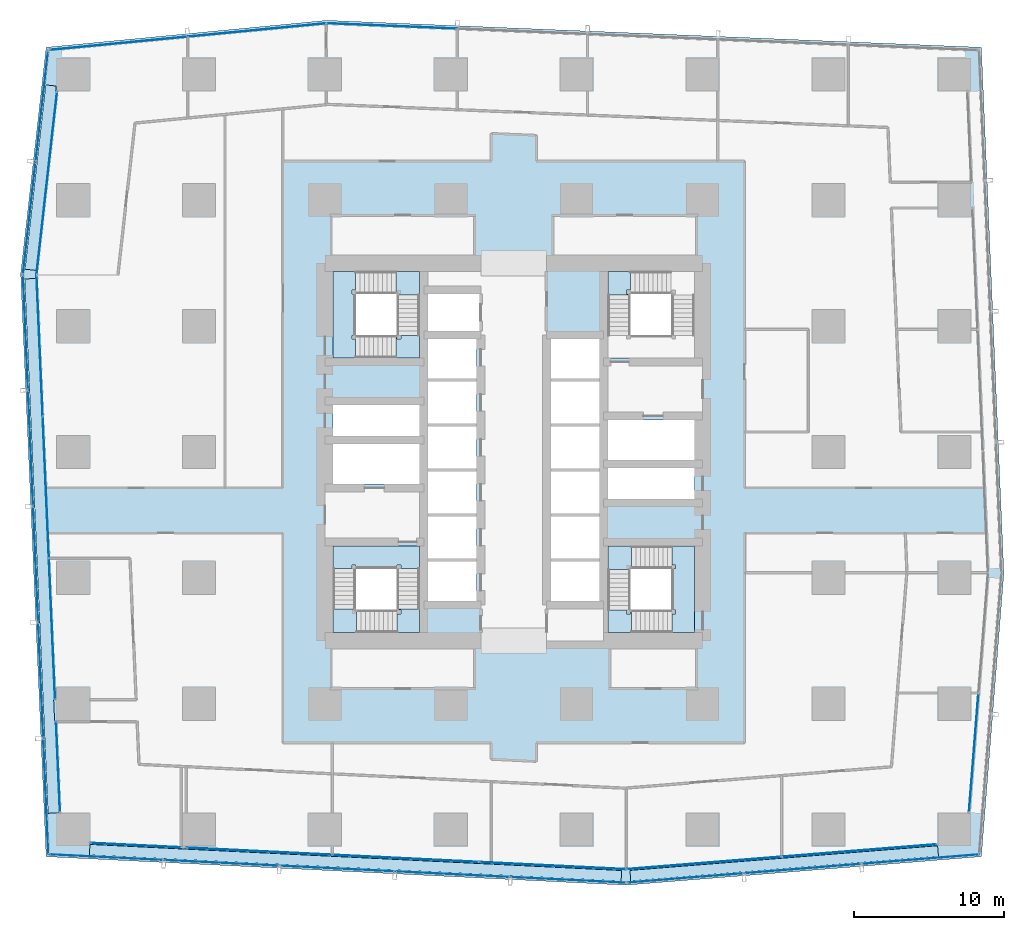
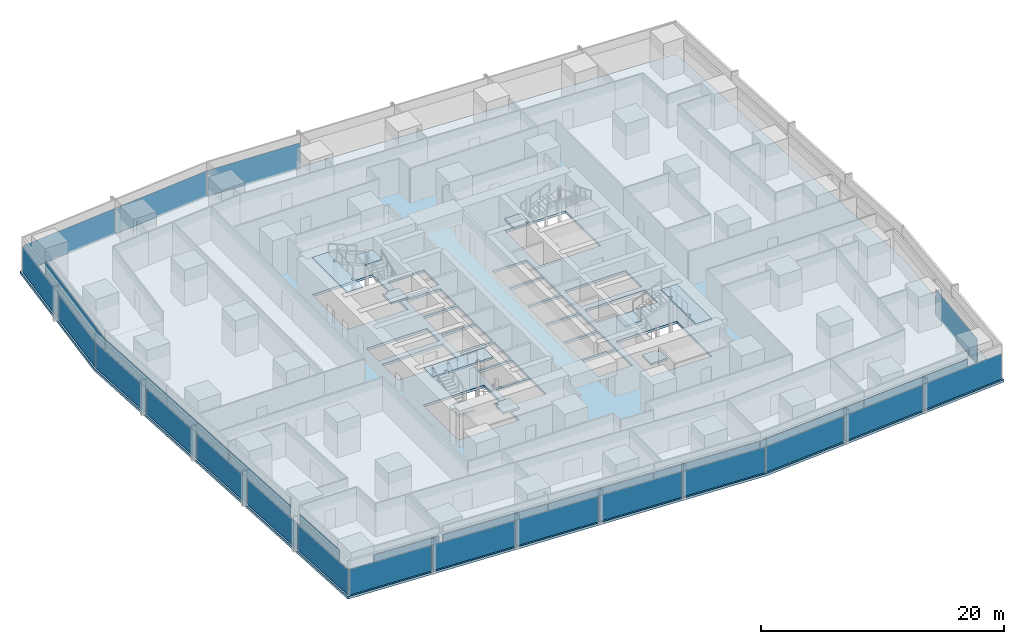
# One storey, part 30 of 44: 34 plates, 11 slabs, 17 elements without a shape of their own.
"""IFC4 building model written with IfcOpenShell, lengths in metres."""

import ifcopenshell
import ifcopenshell.guid

model = None  # the IFC model being written
_history = None  # IfcOwnerHistory: only IFC2X3 demands one
_inside = {}  # id of a spatial element -> (the spatial element, [elements in it])
_under = {}  # id of a project, library or spatial element -> (it, [spatial elements below it])
_declared = {}  # id of a project -> (the project, [libraries it declares])
_typed = {}  # id of a type object -> (the type object, [elements of that type])
_made_of = {}  # id of a material, layer set ... -> (it, [elements and type objects made of it])


def new_model(schema):
    """Start an empty IFC model of exactly this schema.

    Asked for "IFC4X3", IfcOpenShell would pick the latest addendum, in which some entities
    have other attributes; the version numbers below select the first issue.
    IFC2X3 requires an IfcOwnerHistory on every rooted entity: one is made here for all.
    """
    global model, _history
    if schema == "IFC4X3":
        model = ifcopenshell.file(schema_version=(4, 3, 0, 0))
    else:
        model = ifcopenshell.file(schema=schema)
    _inside.clear()
    _under.clear()
    _declared.clear()
    _typed.clear()
    _made_of.clear()
    _history = None
    if model.schema == "IFC2X3":
        org = make("IfcOrganization", Name="unknown")
        user = make(
            "IfcPersonAndOrganization",
            ThePerson=make("IfcPerson", FamilyName="unknown"),
            TheOrganization=org,
        )
        app = make(
            "IfcApplication",
            ApplicationDeveloper=org,
            Version="unknown",
            ApplicationFullName="unknown",
            ApplicationIdentifier="unknown",
        )
        _history = make(
            "IfcOwnerHistory",
            OwningUser=user,
            OwningApplication=app,
            ChangeAction="ADDED",
            CreationDate=0,
        )
    return model


def make(cls, **values):
    """One entity of the class cls with the attributes given. An attribute that is None is left unset."""
    return model.create_entity(
        cls, **{name: value for name, value in values.items() if value is not None}
    )


def rooted(cls, **values):
    """An entity with a GlobalId (a new one), such as an element, a storey or a relation."""
    return make(cls, GlobalId=ifcopenshell.guid.new(), OwnerHistory=_history, **values)


def si_unit(unit_type, name, prefix=None):
    """IfcSIUnit, for example si_unit("LENGTHUNIT", "METRE", prefix="MILLI")."""
    return make("IfcSIUnit", UnitType=unit_type, Prefix=prefix, Name=name)


def assignment(units):
    """IfcUnitAssignment: the units of a project."""
    return None if units is None else make("IfcUnitAssignment", Units=units)


def point(xyz):
    """IfcCartesianPoint."""
    return None if xyz is None else make("IfcCartesianPoint", Coordinates=xyz)


def direction(xyz):
    """IfcDirection."""
    return None if xyz is None else make("IfcDirection", DirectionRatios=xyz)


def frame(location, z_axis=None, x_axis=None):
    """IfcAxis2Placement3D, a coordinate frame: its origin and axes. An axis left out is left unset."""
    return make(
        "IfcAxis2Placement3D",
        Location=point(location),
        Axis=direction(z_axis),
        RefDirection=direction(x_axis),
    )


def frame_2d(location, x_axis=None):
    """IfcAxis2Placement2D, a coordinate frame in the plane: its origin and x axis."""
    return make(
        "IfcAxis2Placement2D", Location=point(location), RefDirection=direction(x_axis)
    )


def origin():
    """The frame at (0, 0, 0) with its axes left unset."""
    return frame((0.0, 0.0, 0.0))


def origin_2d():
    """The frame at (0, 0) in the plane with its x axis left unset."""
    return frame_2d((0.0, 0.0))


def place(relative_to, where):
    """IfcLocalPlacement: puts the frame where relative to a parent placement (None: the world)."""
    return make(
        "IfcLocalPlacement", PlacementRelTo=relative_to, RelativePlacement=where
    )


def context(
    kind, dimensions, precision=None, world=None, true_north=None, identifier=None
):
    """IfcGeometricRepresentationContext, for example the 3D "Model" context."""
    return make(
        "IfcGeometricRepresentationContext",
        ContextIdentifier=identifier,
        ContextType=kind,
        CoordinateSpaceDimension=dimensions,
        Precision=precision,
        WorldCoordinateSystem=world,
        TrueNorth=true_north,
    )


def subcontext(parent, identifier, kind, view, scale=None):
    """IfcGeometricRepresentationSubContext, for example "Body" below "Model"."""
    return make(
        "IfcGeometricRepresentationSubContext",
        ContextIdentifier=identifier,
        ContextType=kind,
        ParentContext=parent,
        TargetScale=scale,
        TargetView=view,
    )


def project(units=None, contexts=None):
    """IfcProject with its units and contexts."""
    return rooted(
        "IfcProject",
        Name="project",
        RepresentationContexts=contexts,
        UnitsInContext=assignment(units),
    )


def spatial(cls, under=None, at=None, **own):
    """A site, building, storey or space (cls), placed at a placement, below another one or the project."""
    s = rooted(cls, ObjectPlacement=at, **own)
    if under is not None:
        _under.setdefault(under.id(), (under, []))[1].append(s)
    return s


def polyline(points):
    """IfcPolyline through the points."""
    return make("IfcPolyline", Points=[point(p) for p in points])


def profile(cls, at=None, kind="AREA", **sizes):
    """A parametric profile (cls). Its sizes go by their IFC names, for example OverallWidth=200.0."""
    return make(cls, ProfileType=kind, Position=at, **sizes)


def rectangle(**sizes):
    """IfcRectangleProfileDef."""
    return profile("IfcRectangleProfileDef", **sizes)


def outline(outer, holes=None, kind="AREA"):
    """IfcArbitraryClosedProfileDef: a profile drawn as a closed curve; with holes, ...WithVoids."""
    if holes is None:
        return make("IfcArbitraryClosedProfileDef", ProfileType=kind, OuterCurve=outer)
    return make(
        "IfcArbitraryProfileDefWithVoids",
        ProfileType=kind,
        OuterCurve=outer,
        InnerCurves=holes,
    )


def extrude(swept, where, along, depth):
    """IfcExtrudedAreaSolid: the profile swept, set in the frame where, extruded along a direction by depth."""
    return make(
        "IfcExtrudedAreaSolid",
        SweptArea=swept,
        Position=where,
        ExtrudedDirection=direction(along),
        Depth=depth,
    )


def shape(context_of_items, identifier, shape_type, items):
    """IfcShapeRepresentation: the items that make up one representation, for example the "Body"."""
    return make(
        "IfcShapeRepresentation",
        ContextOfItems=context_of_items,
        RepresentationIdentifier=identifier,
        RepresentationType=shape_type,
        Items=items,
    )


def material(Name=None, Category=None):
    """IfcMaterial."""
    return make("IfcMaterial", Name=Name, Category=Category)


def layer(
    of_material, thickness, ventilated=None, Name=None, Category=None, Priority=None
):
    """IfcMaterialLayer: one layer of a wall or slab, of a material (None: an air gap)."""
    return make(
        "IfcMaterialLayer",
        Material=of_material,
        LayerThickness=thickness,
        IsVentilated=ventilated,
        Name=Name,
        Category=Category,
        Priority=Priority,
    )


def layer_set(layers, Name=None):
    """IfcMaterialLayerSet."""
    return make("IfcMaterialLayerSet", MaterialLayers=layers, LayerSetName=Name)


def made_of(thing, what):
    """Note that an element or type object is made of a material, layer set ...; save() writes the relation."""
    if what is not None:
        _made_of.setdefault(what.id(), (what, []))[1].append(thing)
    return thing


def type_object(cls, material=None, **own):
    """A type object (cls), such as IfcWallType, which elements share."""
    return made_of(rooted(cls, **own), material)


def element(
    cls,
    number,
    at=None,
    inside=None,
    cuts=None,
    type_object=None,
    material=None,
    context=None,
    identifier="Body",
    shape_type=None,
    held_by="IfcProductDefinitionShape",
    body=None,
    shapes=None,
    **own,
):
    """One element of the class cls, such as IfcWall. Its Tag is "e" and its number.

    at: its placement. inside: the storey or other place that contains it. cuts: it is an
    opening in that element (IfcRelVoidsElement). A single representation is given by context,
    identifier, shape_type and body (its items); several are given by shapes. held_by: the class
    of the entity that holds the representations. save() writes the other relations.
    """
    e = rooted(cls, Tag="e%d" % number, ObjectPlacement=at, **own)
    if body is not None:
        shapes = [shape(context, identifier, shape_type, body)]
    if shapes is not None:
        e.Representation = make(held_by, Representations=shapes)
    if inside is not None:
        _inside.setdefault(inside.id(), (inside, []))[1].append(e)
    if cuts is not None:
        rooted(
            "IfcRelVoidsElement", RelatingBuildingElement=cuts, RelatedOpeningElement=e
        )
    if type_object is not None:
        _typed.setdefault(type_object.id(), (type_object, []))[1].append(e)
    return made_of(e, material)


def aggregate(whole, parts):
    """IfcRelAggregates: a whole, such as a stair, and the parts it consists of."""
    return rooted("IfcRelAggregates", RelatingObject=whole, RelatedObjects=parts)


def save(model, path):
    """Write the relations noted so far, then the file.

    IfcRelAggregates (storeys below a building ...), IfcRelContainedInSpatialStructure (elements
    in a storey), IfcRelDefinesByType, IfcRelAssociatesMaterial and IfcRelDeclares: one each for
    every whole, place, type object, material and project.
    """
    for whole, parts in _under.values():
        aggregate(whole, parts)
    for where, things in _inside.values():
        rooted(
            "IfcRelContainedInSpatialStructure",
            RelatedElements=things,
            RelatingStructure=where,
        )
    for kind, things in _typed.values():
        rooted("IfcRelDefinesByType", RelatedObjects=things, RelatingType=kind)
    for what, things in _made_of.values():
        rooted("IfcRelAssociatesMaterial", RelatedObjects=things, RelatingMaterial=what)
    for by, libraries in _declared.values():
        rooted("IfcRelDeclares", RelatingContext=by, RelatedDefinitions=libraries)
    model.write(path)


model = new_model("IFC4")

# Units and contexts
model_context = context("Model", 3, precision=1e-05, world=origin(), true_north=direction((0.0, 1.0)))
body_context = subcontext(model_context, "Body", "Model", "MODEL_VIEW")
ifc_project = project(units=[si_unit("LENGTHUNIT", "METRE"), si_unit("AREAUNIT", "SQUARE_METRE"), si_unit("VOLUMEUNIT", "CUBIC_METRE"), si_unit("PLANEANGLEUNIT", "RADIAN"), si_unit("MASSUNIT", "GRAM", prefix="KILO")], contexts=[model_context])

# Site, building, storey
site_placement = place(None, origin())
site = spatial("IfcSite", under=ifc_project, at=site_placement, CompositionType="ELEMENT")
building_placement = place(site_placement, origin())
building = spatial("IfcBuilding", under=site, at=building_placement, Name="Rekha Terrace Tower", CompositionType="ELEMENT")
storey_placement = place(building_placement, frame((0.0, 0.0, 66.64990234375)))
storey = spatial("IfcBuildingStorey", under=building, at=storey_placement, Name="L16", CompositionType="ELEMENT", Elevation=66.64990234375)

# Curtain wall, plate
ifc_material_1 = material(Name="Aluminium framing", Category="aluminium")
curtain_wall_type_1 = type_object("IfcCurtainWallType", Name="CW1 double skin inner glazing", PredefinedType="USERDEFINED", material=ifc_material_1)
curtain_wall_1_placement = place(storey_placement, origin())
curtain_wall_1 = element("IfcCurtainWall", 1, at=curtain_wall_1_placement, inside=storey, type_object=curtain_wall_type_1, Name="CW1 double skin inner glazing", ObjectType="DOUBLE SKIN INNER GLAZING", PredefinedType="USERDEFINED")
ifc_material_2 = material(Name="Double-glazed low-e unit 32", Category="glass")
ifc_layer_1 = layer(ifc_material_2, 0.031982421875)
ifc_layer_set_1 = layer_set([ifc_layer_1], Name="Double-glazed low-e unit 32")
plate_type_1 = type_object("IfcPlateType", Name="CW1 jumbo vision panel, double-glazed low-e unit 32", PredefinedType="CURTAIN_PANEL", material=ifc_layer_set_1)
plate_1_placement = place(storey_placement, frame((12.60009765625, 7.36669921875, 0.0), z_axis=(0.0, 0.0, 1.0), x_axis=(0.998796239977, -0.049051717693, 0.0)))
plate_1 = element("IfcPlate", 2, at=plate_1_placement, type_object=plate_type_1, Name="CW1 panel 1.1", PredefinedType="CURTAIN_PANEL", context=body_context, shape_type="SweptSolid", body=[
    extrude(rectangle(XDim=6.028076171875, YDim=0.031982421875, at=origin_2d()), origin(), (0.0, 0.0, 1.0), 2.60009765625),
])
aggregate(curtain_wall_1, [plate_1])

# Curtain wall, plates
curtain_wall_2_placement = place(storey_placement, origin())
curtain_wall_2 = element("IfcCurtainWall", 3, at=curtain_wall_2_placement, inside=storey, type_object=curtain_wall_type_1, Name="CW1 double skin inner glazing", ObjectType="DOUBLE SKIN INNER GLAZING", PredefinedType="USERDEFINED")
plate_2_placement = place(storey_placement, frame((20.818603515625, 6.962890625, 0.0), z_axis=(0.0, 0.0, 1.0), x_axis=(0.998796239974, -0.049051717746, 0.0)))
plate_2 = element("IfcPlate", 4, at=plate_2_placement, type_object=plate_type_1, Name="CW1 panel 1.1", PredefinedType="CURTAIN_PANEL", context=body_context, shape_type="SweptSolid", body=[
    extrude(rectangle(XDim=9.701904296875, YDim=0.031982421875, at=origin_2d()), origin(), (0.0, 0.0, 1.0), 2.60009765625),
])
plate_3_placement = place(storey_placement, frame((30.590087890625, 6.483154296875, 0.0), z_axis=(0.0, 0.0, 1.0), x_axis=(0.998796239974, -0.049051717746, 0.0)))
plate_3 = element("IfcPlate", 5, at=plate_3_placement, type_object=plate_type_1, Name="CW1 panel 2.1", PredefinedType="CURTAIN_PANEL", context=body_context, shape_type="SweptSolid", body=[
    extrude(rectangle(XDim=9.734619140625, YDim=0.031982421875, at=origin_2d()), origin(), (0.0, 0.0, 1.0), 2.60009765625),
])
plate_4_placement = place(storey_placement, frame((40.39404296875, 6.001708984375, 0.0), z_axis=(0.0, 0.0, 1.0), x_axis=(0.998796239974, -0.049051717746, 0.0)))
plate_4 = element("IfcPlate", 6, at=plate_4_placement, type_object=plate_type_1, Name="CW1 panel 3.1", PredefinedType="CURTAIN_PANEL", context=body_context, shape_type="SweptSolid", body=[
    extrude(rectangle(XDim=9.76708984375, YDim=0.031982421875, at=origin_2d()), origin(), (0.0, 0.0, 1.0), 2.60009765625),
])
aggregate(curtain_wall_2, [plate_2, plate_3, plate_4])

curtain_wall_3_placement = place(storey_placement, origin())
curtain_wall_3 = element("IfcCurtainWall", 7, at=curtain_wall_3_placement, inside=storey, type_object=curtain_wall_type_1, Name="CW1 double skin inner glazing", ObjectType="DOUBLE SKIN INNER GLAZING", PredefinedType="USERDEFINED")
plate_5_placement = place(storey_placement, frame((50.488037109375, 6.18017578125, 0.0), z_axis=(0.0, 0.0, 1.0), x_axis=(0.996805111821, 0.079872204468, 0.0)))
plate_5 = element("IfcPlate", 8, at=plate_5_placement, type_object=plate_type_1, Name="CW1 panel 1.1", PredefinedType="CURTAIN_PANEL", context=body_context, shape_type="SweptSolid", body=[
    extrude(rectangle(XDim=10.336181640625, YDim=0.031982421875, at=origin_2d()), origin(), (0.0, 0.0, 1.0), 2.60009765625),
])
plate_6_placement = place(storey_placement, frame((60.85595703125, 7.0107421875, 0.0), z_axis=(0.0, 0.0, 1.0), x_axis=(0.996805111821, 0.079872204468, 0.0)))
plate_6 = element("IfcPlate", 9, at=plate_6_placement, type_object=plate_type_1, Name="CW1 panel 2.1", PredefinedType="CURTAIN_PANEL", context=body_context, shape_type="SweptSolid", body=[
    extrude(rectangle(XDim=10.336181640625, YDim=0.031982421875, at=origin_2d()), origin(), (0.0, 0.0, 1.0), 2.60009765625),
])
aggregate(curtain_wall_3, [plate_5, plate_6])

# Curtain wall, plate
curtain_wall_4_placement = place(storey_placement, origin())
curtain_wall_4 = element("IfcCurtainWall", 10, at=curtain_wall_4_placement, inside=storey, type_object=curtain_wall_type_1, Name="CW1 double skin inner glazing", ObjectType="DOUBLE SKIN INNER GLAZING", PredefinedType="USERDEFINED")
plate_7_placement = place(storey_placement, frame((68.487548828125, 13.541748046875, 0.0), z_axis=(0.0, 0.0, 1.0), x_axis=(0.079116301, 0.996865392576, 0.0)))
plate_7 = element("IfcPlate", 11, at=plate_7_placement, type_object=plate_type_1, Name="CW1 panel 1.1", PredefinedType="CURTAIN_PANEL", context=body_context, shape_type="SweptSolid", body=[
    extrude(rectangle(XDim=7.923583984375, YDim=0.031982421875, at=origin_2d()), origin(), (0.0, 0.0, 1.0), 2.60009765625),
])
aggregate(curtain_wall_4, [plate_7])

curtain_wall_5_placement = place(storey_placement, origin())
curtain_wall_5 = element("IfcCurtainWall", 12, at=curtain_wall_5_placement, inside=storey, type_object=curtain_wall_type_1, Name="CW1 double skin inner glazing", ObjectType="DOUBLE SKIN INNER GLAZING", PredefinedType="USERDEFINED")
plate_8_placement = place(storey_placement, frame((6.646728515625, 51.52734375, 0.0), z_axis=(0.0, 0.0, 1.0), x_axis=(-0.111729870748, -0.993738615524, 0.0)))
plate_8 = element("IfcPlate", 13, at=plate_8_placement, type_object=plate_type_1, Name="CW1 panel 1.1", PredefinedType="CURTAIN_PANEL", context=body_context, shape_type="SweptSolid", body=[
    extrude(rectangle(XDim=12.243896484375, YDim=0.031982421875, at=origin_2d()), origin(), (0.0, 0.0, 1.0), 2.60009765625),
])
aggregate(curtain_wall_5, [plate_8])

# Curtain wall, plates
curtain_wall_6_placement = place(storey_placement, origin())
curtain_wall_6 = element("IfcCurtainWall", 14, at=curtain_wall_6_placement, inside=storey, type_object=curtain_wall_type_1, Name="CW1 double skin inner glazing", ObjectType="DOUBLE SKIN INNER GLAZING", PredefinedType="USERDEFINED")
plate_9_placement = place(storey_placement, frame((6.170166015625, 40.69482421875, 0.0), z_axis=(0.0, 0.0, 1.0), x_axis=(0.043682543337, -0.999045462133, 0.0)))
plate_9 = element("IfcPlate", 15, at=plate_9_placement, type_object=plate_type_1, Name="CW1 panel 1.1", PredefinedType="CURTAIN_PANEL", context=body_context, shape_type="SweptSolid", body=[
    extrude(rectangle(XDim=9.376953125, YDim=0.031982421875, at=origin_2d()), origin(), (0.0, 0.0, 1.0), 2.60009765625),
])
plate_10_placement = place(storey_placement, frame((6.58349609375, 31.245361328125, 0.0), z_axis=(0.0, 0.0, 1.0), x_axis=(0.043682543337, -0.999045462133, 0.0)))
plate_10 = element("IfcPlate", 16, at=plate_10_placement, type_object=plate_type_1, Name="CW1 panel 2.1", PredefinedType="CURTAIN_PANEL", context=body_context, shape_type="SweptSolid", body=[
    extrude(rectangle(XDim=9.40966796875, YDim=0.031982421875, at=origin_2d()), origin(), (0.0, 0.0, 1.0), 2.60009765625),
])
plate_11_placement = place(storey_placement, frame((6.99658203125, 21.796142578125, 0.0), z_axis=(0.0, 0.0, 1.0), x_axis=(0.043682543337, -0.999045462133, 0.0)))
plate_11 = element("IfcPlate", 17, at=plate_11_placement, type_object=plate_type_1, Name="CW1 panel 3.1", PredefinedType="CURTAIN_PANEL", context=body_context, shape_type="SweptSolid", body=[
    extrude(rectangle(XDim=9.376953125, YDim=0.031982421875, at=origin_2d()), origin(), (0.0, 0.0, 1.0), 2.60009765625),
])
aggregate(curtain_wall_6, [plate_9, plate_10, plate_11])

# Curtain wall, plate
curtain_wall_7_placement = place(storey_placement, origin())
curtain_wall_7 = element("IfcCurtainWall", 18, at=curtain_wall_7_placement, inside=storey, type_object=curtain_wall_type_1, Name="CW1 double skin inner glazing", ObjectType="DOUBLE SKIN INNER GLAZING", PredefinedType="USERDEFINED")
plate_12_placement = place(storey_placement, frame((7.398681640625, 12.60009765625, 0.0), z_axis=(0.0, 0.0, 1.0), x_axis=(0.043682543424, -0.999045462129, 0.0)))
plate_12 = element("IfcPlate", 19, at=plate_12_placement, type_object=plate_type_1, Name="CW1 panel 1.1", PredefinedType="CURTAIN_PANEL", context=body_context, shape_type="SweptSolid", body=[
    extrude(rectangle(XDim=6.027587890625, YDim=0.031982421875, at=origin_2d()), origin(), (0.0, 0.0, 1.0), 2.60009765625),
])
aggregate(curtain_wall_7, [plate_12])

# Curtain wall, plates
curtain_wall_type_2 = type_object("IfcCurtainWallType", Name="CW2 double skin outer glazing", PredefinedType="USERDEFINED", material=ifc_material_1)
curtain_wall_8_placement = place(storey_placement, origin())
curtain_wall_8 = element("IfcCurtainWall", 20, at=curtain_wall_8_placement, inside=storey, type_object=curtain_wall_type_2, Name="CW2 double skin outer glazing", ObjectType="DOUBLE SKIN OUTER GLAZING", PredefinedType="USERDEFINED")
ifc_material_3 = material(Name="Toughened single glazing 12", Category="glass")
ifc_layer_2 = layer(ifc_material_3, 0.011962890625)
ifc_layer_set_2 = layer_set([ifc_layer_2], Name="Toughened single glazing 12")
plate_type_2 = type_object("IfcPlateType", Name="CW2 jumbo vision panel, toughened single glazing 12", PredefinedType="CURTAIN_PANEL", material=ifc_layer_set_2)
plate_13_placement = place(storey_placement, frame((10.626708984375, 6.5625, 0.0), z_axis=(0.0, 0.0, 1.0), x_axis=(0.998796239974, -0.049051717746, 0.0)))
plate_13 = element("IfcPlate", 21, at=plate_13_placement, type_object=plate_type_2, Name="CW2 panel 1.1", PredefinedType="CURTAIN_PANEL", context=body_context, shape_type="SweptSolid", body=[
    extrude(rectangle(XDim=7.595703125, YDim=0.011962890625, at=origin_2d()), origin(), (0.0, 0.0, 1.0), 2.60009765625),
])
plate_14_placement = place(storey_placement, frame((18.31298828125, 6.18505859375, 0.0), z_axis=(0.0, 0.0, 1.0), x_axis=(0.998796239974, -0.049051717746, 0.0)))
plate_14 = element("IfcPlate", 22, at=plate_14_placement, type_object=plate_type_2, Name="CW2 panel 2.1", PredefinedType="CURTAIN_PANEL", context=body_context, shape_type="SweptSolid", body=[
    extrude(rectangle(XDim=7.6357421875, YDim=0.011962890625, at=origin_2d()), origin(), (0.0, 0.0, 1.0), 2.60009765625),
])
plate_15_placement = place(storey_placement, frame((26.01953125, 5.806396484375, 0.0), z_axis=(0.0, 0.0, 1.0), x_axis=(0.998796239974, -0.049051717746, 0.0)))
plate_15 = element("IfcPlate", 23, at=plate_15_placement, type_object=plate_type_2, Name="CW2 panel 3.1", PredefinedType="CURTAIN_PANEL", context=body_context, shape_type="SweptSolid", body=[
    extrude(rectangle(XDim=7.6357421875, YDim=0.011962890625, at=origin_2d()), origin(), (0.0, 0.0, 1.0), 2.60009765625),
])
plate_16_placement = place(storey_placement, frame((33.725830078125, 5.427978515625, 0.0), z_axis=(0.0, 0.0, 1.0), x_axis=(0.998796239974, -0.049051717746, 0.0)))
plate_16 = element("IfcPlate", 24, at=plate_16_placement, type_object=plate_type_2, Name="CW2 panel 4.1", PredefinedType="CURTAIN_PANEL", context=body_context, shape_type="SweptSolid", body=[
    extrude(rectangle(XDim=7.6357421875, YDim=0.011962890625, at=origin_2d()), origin(), (0.0, 0.0, 1.0), 2.60009765625),
])
plate_17_placement = place(storey_placement, frame((41.452392578125, 5.048583984375, 0.0), z_axis=(0.0, 0.0, 1.0), x_axis=(0.998796239974, -0.049051717746, 0.0)))
plate_17 = element("IfcPlate", 25, at=plate_17_placement, type_object=plate_type_2, Name="CW2 panel 5.1", PredefinedType="CURTAIN_PANEL", context=body_context, shape_type="SweptSolid", body=[
    extrude(rectangle(XDim=7.67578125, YDim=0.011962890625, at=origin_2d()), origin(), (0.0, 0.0, 1.0), 2.60009765625),
])
aggregate(curtain_wall_8, [plate_13, plate_14, plate_15, plate_16, plate_17])

curtain_wall_9_placement = place(storey_placement, origin())
curtain_wall_9 = element("IfcCurtainWall", 26, at=curtain_wall_9_placement, inside=storey, type_object=curtain_wall_type_2, Name="CW2 double skin outer glazing", ObjectType="DOUBLE SKIN OUTER GLAZING", PredefinedType="USERDEFINED")
plate_18_placement = place(storey_placement, frame((49.233154296875, 5.176513671875, 0.0), z_axis=(0.0, 0.0, 1.0), x_axis=(0.996805111821, 0.079872204468, 0.0)))
plate_18 = element("IfcPlate", 27, at=plate_18_placement, type_object=plate_type_2, Name="CW2 panel 1.1", PredefinedType="CURTAIN_PANEL", context=body_context, shape_type="SweptSolid", body=[
    extrude(rectangle(XDim=7.760498046875, YDim=0.011962890625, at=origin_2d()), origin(), (0.0, 0.0, 1.0), 2.60009765625),
])
plate_19_placement = place(storey_placement, frame((57.068359375, 5.804443359375, 0.0), z_axis=(0.0, 0.0, 1.0), x_axis=(0.996805111821, 0.079872204468, 0.0)))
plate_19 = element("IfcPlate", 28, at=plate_19_placement, type_object=plate_type_2, Name="CW2 panel 2.1", PredefinedType="CURTAIN_PANEL", context=body_context, shape_type="SweptSolid", body=[
    extrude(rectangle(XDim=7.800537109375, YDim=0.011962890625, at=origin_2d()), origin(), (0.0, 0.0, 1.0), 2.60009765625),
])
plate_20_placement = place(storey_placement, frame((64.943603515625, 6.435546875, 0.0), z_axis=(0.0, 0.0, 1.0), x_axis=(0.996805111821, 0.079872204468, 0.0)))
plate_20 = element("IfcPlate", 29, at=plate_20_placement, type_object=plate_type_2, Name="CW2 panel 3.1", PredefinedType="CURTAIN_PANEL", context=body_context, shape_type="SweptSolid", body=[
    extrude(rectangle(XDim=7.84033203125, YDim=0.011962890625, at=origin_2d()), origin(), (0.0, 0.0, 1.0), 2.60009765625),
])
aggregate(curtain_wall_9, [plate_18, plate_19, plate_20])

curtain_wall_10_placement = place(storey_placement, origin())
curtain_wall_10 = element("IfcCurtainWall", 30, at=curtain_wall_10_placement, inside=storey, type_object=curtain_wall_type_2, Name="CW2 double skin outer glazing", ObjectType="DOUBLE SKIN OUTER GLAZING", PredefinedType="USERDEFINED")
plate_21_placement = place(storey_placement, frame((6.3212890625, 56.688720703125, 0.0), z_axis=(0.0, 0.0, 1.0), x_axis=(-0.111729870782, -0.99373861552, 0.0)))
plate_21 = element("IfcPlate", 31, at=plate_21_placement, type_object=plate_type_2, Name="CW2 panel 1.1", PredefinedType="CURTAIN_PANEL", context=body_context, shape_type="SweptSolid", body=[
    extrude(rectangle(XDim=7.41650390625, YDim=0.011962890625, at=origin_2d()), origin(), (0.0, 0.0, 1.0), 2.60009765625),
])
plate_22_placement = place(storey_placement, frame((5.479248046875, 49.19921875, 0.0), z_axis=(0.0, 0.0, 1.0), x_axis=(-0.111729870782, -0.99373861552, 0.0)))
plate_22 = element("IfcPlate", 32, at=plate_22_placement, type_object=plate_type_2, Name="CW2 panel 2.1", PredefinedType="CURTAIN_PANEL", context=body_context, shape_type="SweptSolid", body=[
    extrude(rectangle(XDim=7.49658203125, YDim=0.011962890625, at=origin_2d()), origin(), (0.0, 0.0, 1.0), 2.60009765625),
])
aggregate(curtain_wall_10, [plate_21, plate_22])

curtain_wall_11_placement = place(storey_placement, origin())
curtain_wall_11 = element("IfcCurtainWall", 33, at=curtain_wall_11_placement, inside=storey, type_object=curtain_wall_type_2, Name="CW2 double skin outer glazing", ObjectType="DOUBLE SKIN OUTER GLAZING", PredefinedType="USERDEFINED")
plate_23_placement = place(storey_placement, frame((5.23046875, 41.582275390625, 0.0), z_axis=(0.0, 0.0, 1.0), x_axis=(0.043682543372, -0.999045462131, 0.0)))
plate_23 = element("IfcPlate", 34, at=plate_23_placement, type_object=plate_type_2, Name="CW2 panel 1.1", PredefinedType="CURTAIN_PANEL", context=body_context, shape_type="SweptSolid", body=[
    extrude(rectangle(XDim=7.6318359375, YDim=0.011962890625, at=origin_2d()), origin(), (0.0, 0.0, 1.0), 2.60009765625),
])
plate_24_placement = place(storey_placement, frame((5.568359375, 33.85791015625, 0.0), z_axis=(0.0, 0.0, 1.0), x_axis=(0.043682543372, -0.999045462131, 0.0)))
plate_24 = element("IfcPlate", 35, at=plate_24_placement, type_object=plate_type_2, Name="CW2 panel 2.1", PredefinedType="CURTAIN_PANEL", context=body_context, shape_type="SweptSolid", body=[
    extrude(rectangle(XDim=7.671875, YDim=0.011962890625, at=origin_2d()), origin(), (0.0, 0.0, 1.0), 2.60009765625),
])
plate_25_placement = place(storey_placement, frame((5.906982421875, 26.113525390625, 0.0), z_axis=(0.0, 0.0, 1.0), x_axis=(0.043682543372, -0.999045462131, 0.0)))
plate_25 = element("IfcPlate", 36, at=plate_25_placement, type_object=plate_type_2, Name="CW2 panel 3.1", PredefinedType="CURTAIN_PANEL", context=body_context, shape_type="SweptSolid", body=[
    extrude(rectangle(XDim=7.671875, YDim=0.011962890625, at=origin_2d()), origin(), (0.0, 0.0, 1.0), 2.60009765625),
])
plate_26_placement = place(storey_placement, frame((6.24560546875, 18.369140625, 0.0), z_axis=(0.0, 0.0, 1.0), x_axis=(0.043682543372, -0.999045462131, 0.0)))
plate_26 = element("IfcPlate", 37, at=plate_26_placement, type_object=plate_type_2, Name="CW2 panel 4.1", PredefinedType="CURTAIN_PANEL", context=body_context, shape_type="SweptSolid", body=[
    extrude(rectangle(XDim=7.671875, YDim=0.011962890625, at=origin_2d()), origin(), (0.0, 0.0, 1.0), 2.60009765625),
])
plate_27_placement = place(storey_placement, frame((6.5849609375, 10.60498046875, 0.0), z_axis=(0.0, 0.0, 1.0), x_axis=(0.043682543372, -0.999045462131, 0.0)))
plate_27 = element("IfcPlate", 38, at=plate_27_placement, type_object=plate_type_2, Name="CW2 panel 5.1", PredefinedType="CURTAIN_PANEL", context=body_context, shape_type="SweptSolid", body=[
    extrude(rectangle(XDim=7.711669921875, YDim=0.011962890625, at=origin_2d()), origin(), (0.0, 0.0, 1.0), 2.60009765625),
])
aggregate(curtain_wall_11, [plate_23, plate_24, plate_25, plate_26, plate_27])

# Curtain wall, plate
curtain_wall_type_3 = type_object("IfcCurtainWallType", Name="CW3 north unitised glazing", PredefinedType="USERDEFINED", material=ifc_material_1)
curtain_wall_12_placement = place(storey_placement, origin())
curtain_wall_12 = element("IfcCurtainWall", 39, at=curtain_wall_12_placement, inside=storey, type_object=curtain_wall_type_3, Name="CW3 unitised curtain wall", ObjectType="UNITISED CURTAIN WALL", PredefinedType="USERDEFINED")
ifc_material_4 = material(Name="Double-glazed unit 28", Category="glass")
ifc_layer_3 = layer(ifc_material_4, 0.028076171875)
ifc_layer_set_3 = layer_set([ifc_layer_3], Name="Double-glazed unit 28")
plate_type_3 = type_object("IfcPlateType", Name="CW3 jumbo vision panel, double-glazed unit 28", PredefinedType="CURTAIN_PANEL", material=ifc_layer_set_3)
plate_28_placement = place(storey_placement, frame((29.65625, 62.021240234375, 0.0), z_axis=(0.0, 0.0, 1.0), x_axis=(-0.999151997647, 0.041173846041, 0.0)))
plate_28 = element("IfcPlate", 40, at=plate_28_placement, type_object=plate_type_3, Name="CW3 panel 5.1", PredefinedType="CURTAIN_PANEL", context=body_context, shape_type="SweptSolid", body=[
    extrude(rectangle(XDim=8.6689453125, YDim=0.028076171875, at=origin_2d()), origin(), (0.0, 0.0, 1.0), 2.60009765625),
])
aggregate(curtain_wall_12, [plate_28])

# Curtain wall, plates
curtain_wall_13_placement = place(storey_placement, origin())
curtain_wall_13 = element("IfcCurtainWall", 41, at=curtain_wall_13_placement, inside=storey, type_object=curtain_wall_type_3, Name="CW3 unitised curtain wall", ObjectType="UNITISED CURTAIN WALL", PredefinedType="USERDEFINED")
plate_29_placement = place(storey_placement, frame((20.671875, 61.752197265625, 0.0), z_axis=(0.0, 0.0, 1.0), x_axis=(-0.995409029102, -0.095712406625, 0.0)))
plate_29 = element("IfcPlate", 42, at=plate_29_placement, type_object=plate_type_3, Name="CW3 panel 1.1", PredefinedType="CURTAIN_PANEL", context=body_context, shape_type="SweptSolid", body=[
    extrude(rectangle(XDim=9.210205078125, YDim=0.028076171875, at=origin_2d()), origin(), (0.0, 0.0, 1.0), 2.60009765625),
])
plate_30_placement = place(storey_placement, frame((11.434326171875, 60.864013671875, 0.0), z_axis=(0.0, 0.0, 1.0), x_axis=(-0.995409029102, -0.095712406625, 0.0)))
plate_30 = element("IfcPlate", 43, at=plate_30_placement, type_object=plate_type_3, Name="CW3 panel 2.1", PredefinedType="CURTAIN_PANEL", context=body_context, shape_type="SweptSolid", body=[
    extrude(rectangle(XDim=9.210205078125, YDim=0.028076171875, at=origin_2d()), origin(), (0.0, 0.0, 1.0), 2.60009765625),
])
aggregate(curtain_wall_13, [plate_29, plate_30])

# Plates
ifc_material_5 = material(Name="Galvanised steel open grating", Category="steel")
ifc_layer_4 = layer(ifc_material_5, 0.050048828125)
ifc_layer_set_4 = layer_set([ifc_layer_4], Name="Galvanised steel open grating")
plate_type_4 = type_object("IfcPlateType", Name="GT1 cavity walkway grating 50", PredefinedType="USERDEFINED", material=ifc_layer_set_4)
plate_31_placement = place(storey_placement, frame((27.24365234375, 6.197021484375, 0.0), z_axis=(0.0, 0.0, 1.0), x_axis=(0.998796239974, -0.049051717746, 0.0)))
element("IfcPlate", 44, at=plate_31_placement, inside=storey, type_object=plate_type_4, Name="Cavity walkway grating", ObjectType="CAVITY WALKWAY GRATING", PredefinedType="USERDEFINED", context=body_context, shape_type="SweptSolid", body=[
    extrude(rectangle(XDim=35.512939453125, YDim=0.705078125, at=origin_2d()), origin(), (0.0, 0.0, 1.0), 0.050048828125),
])
plate_32_placement = place(storey_placement, frame((55.841552734375, 6.15771484375, 0.0), z_axis=(0.0, 0.0, 1.0), x_axis=(0.996805111821, 0.079872204468, 0.0)))
element("IfcPlate", 45, at=plate_32_placement, inside=storey, type_object=plate_type_4, Name="Cavity walkway grating", ObjectType="CAVITY WALKWAY GRATING", PredefinedType="USERDEFINED", context=body_context, shape_type="SweptSolid", body=[
    extrude(rectangle(XDim=20.59375, YDim=0.705078125, at=origin_2d()), origin(), (0.0, 0.0, 1.0), 0.050048828125),
])
plate_33_placement = place(storey_placement, frame((6.236328125, 51.90576171875, 0.0), z_axis=(0.0, 0.0, 1.0), x_axis=(-0.1117298708, -0.993738615518, 0.0)))
element("IfcPlate", 46, at=plate_33_placement, inside=storey, type_object=plate_type_4, Name="Cavity walkway grating", ObjectType="CAVITY WALKWAY GRATING", PredefinedType="USERDEFINED", context=body_context, shape_type="SweptSolid", body=[
    extrude(rectangle(XDim=12.374267578125, YDim=0.705078125, at=origin_2d()), origin(), (0.0, 0.0, 1.0), 0.050048828125),
])
plate_34_placement = place(storey_placement, frame((6.303955078125, 27.3349609375, 0.0), z_axis=(0.0, 0.0, 1.0), x_axis=(0.043682543355, -0.999045462132, 0.0)))
element("IfcPlate", 47, at=plate_34_placement, inside=storey, type_object=plate_type_4, Name="Cavity walkway grating", ObjectType="CAVITY WALKWAY GRATING", PredefinedType="USERDEFINED", context=body_context, shape_type="SweptSolid", body=[
    extrude(rectangle(XDim=35.682861328125, YDim=0.705078125, at=origin_2d()), origin(), (0.0, 0.0, 1.0), 0.050048828125),
])

# Stair, slabs
ifc_material_6 = material(Name="Concrete M40", Category="concrete")
stair_type = type_object("IfcStairType", Name="ST30 stair, 30 risers of 125, going 300, 1500 wide flights, 3 flights", PredefinedType="HALF_TURN_STAIR", material=ifc_material_6)
stair_1_placement = place(storey_placement, origin())
stair_1 = element("IfcStair", 48, at=stair_1_placement, inside=storey, type_object=stair_type, Name="Stair ST1 L16 to L17", PredefinedType="HALF_TURN_STAIR")
ifc_layer_5 = layer(ifc_material_6, 0.199951171875)
ifc_layer_set_5 = layer_set([ifc_layer_5], Name="Concrete M40")
slab_type_1 = type_object("IfcSlabType", Name="LD1 200 concrete stair landing", PredefinedType="LANDING", material=ifc_layer_set_5)
slab_1_placement = place(storey_placement, frame((0.0, 0.0, 1.050048828125)))
slab_1 = element("IfcSlab", 49, at=slab_1_placement, type_object=slab_type_1, Name="ST1 landing 1", PredefinedType="LANDING", context=body_context, shape_type="SweptSolid", body=[
    extrude(outline(polyline([(30.02490234375, 21.550048828125), (31.52490234375, 21.550048828125), (31.52490234375, 23.125), (30.02490234375, 23.125), (30.02490234375, 23.050048828125), (30.27490234375, 23.050048828125), (30.27490234375, 22.800048828125), (30.02490234375, 22.800048828125), (30.02490234375, 21.550048828125)])), origin(), (0.0, 0.0, 1.0), 0.199951171875),
])
slab_2_placement = place(storey_placement, frame((0.0, 0.0, 2.300048828125)))
slab_2 = element("IfcSlab", 50, at=slab_2_placement, type_object=slab_type_1, Name="ST1 landing 2", PredefinedType="LANDING", context=body_context, shape_type="SweptSolid", body=[
    extrude(outline(polyline([(27.25, 23.125), (25.75, 23.125), (25.75, 21.550048828125), (27.324951171875, 21.550048828125), (27.324951171875, 23.050048828125), (27.25, 23.050048828125), (27.25, 23.125)])), origin(), (0.0, 0.0, 1.0), 0.199951171875),
])
slab_3_placement = place(storey_placement, frame((0.0, 0.0, 3.550048828125)))
slab_3 = element("IfcSlab", 51, at=slab_3_placement, type_object=slab_type_1, Name="ST1 landing 3", PredefinedType="LANDING", context=body_context, shape_type="SweptSolid", body=[
    extrude(outline(polyline([(31.52490234375, 25.824951171875), (31.52490234375, 27.324951171875), (25.75, 27.324951171875), (25.75, 25.824951171875), (27.0, 25.824951171875), (27.0, 26.074951171875), (27.25, 26.074951171875), (27.25, 25.824951171875), (30.02490234375, 25.824951171875), (30.02490234375, 26.074951171875), (30.27490234375, 26.074951171875), (30.27490234375, 25.824951171875), (31.52490234375, 25.824951171875)])), origin(), (0.0, 0.0, 1.0), 0.199951171875),
])
aggregate(stair_1, [slab_1, slab_2, slab_3])

# Stair, slab
stair_2_placement = place(storey_placement, origin())
stair_2 = element("IfcStair", 52, at=stair_2_placement, inside=storey, type_object=stair_type, Name="Stair ST2 L16 to L17", PredefinedType="HALF_TURN_STAIR")
slab_4_placement = place(storey_placement, frame((0.0, 0.0, 1.050048828125)))
slab_4 = element("IfcSlab", 53, at=slab_4_placement, type_object=slab_type_1, Name="ST2 landing 1", PredefinedType="LANDING", context=body_context, shape_type="SweptSolid", body=[
    extrude(outline(polyline([(45.574951171875, 45.64990234375), (44.074951171875, 45.64990234375), (44.074951171875, 44.074951171875), (45.574951171875, 44.074951171875), (45.574951171875, 44.14990234375), (45.324951171875, 44.14990234375), (45.324951171875, 44.39990234375), (45.574951171875, 44.39990234375), (45.574951171875, 45.64990234375)])), origin(), (0.0, 0.0, 1.0), 0.199951171875),
])
aggregate(stair_2, [slab_4])

# Stair, slabs
stair_3_placement = place(storey_placement, origin())
stair_3 = element("IfcStair", 54, at=stair_3_placement, inside=storey, type_object=stair_type, Name="Stair ST3 L16 to L17", PredefinedType="HALF_TURN_STAIR")
slab_5_placement = place(storey_placement, frame((0.0, 0.0, 1.050048828125)))
slab_5 = element("IfcSlab", 55, at=slab_5_placement, type_object=slab_type_1, Name="ST3 landing 1", PredefinedType="LANDING", context=body_context, shape_type="SweptSolid", body=[
    extrude(outline(polyline([(44.074951171875, 23.050048828125), (44.074951171875, 21.550048828125), (45.64990234375, 21.550048828125), (45.64990234375, 23.050048828125), (45.574951171875, 23.050048828125), (45.574951171875, 22.800048828125), (45.324951171875, 22.800048828125), (45.324951171875, 23.050048828125), (44.074951171875, 23.050048828125)])), origin(), (0.0, 0.0, 1.0), 0.199951171875),
])
slab_6_placement = place(storey_placement, frame((0.0, 0.0, 2.300048828125)))
slab_6 = element("IfcSlab", 56, at=slab_6_placement, type_object=slab_type_1, Name="ST3 landing 2", PredefinedType="LANDING", context=body_context, shape_type="SweptSolid", body=[
    extrude(outline(polyline([(45.64990234375, 25.824951171875), (45.64990234375, 27.324951171875), (44.074951171875, 27.324951171875), (44.074951171875, 25.75), (45.574951171875, 25.75), (45.574951171875, 25.824951171875), (45.64990234375, 25.824951171875)])), origin(), (0.0, 0.0, 1.0), 0.199951171875),
])
slab_7_placement = place(storey_placement, frame((0.0, 0.0, 3.550048828125)))
slab_7 = element("IfcSlab", 57, at=slab_7_placement, type_object=slab_type_1, Name="ST3 landing 3", PredefinedType="LANDING", context=body_context, shape_type="SweptSolid", body=[
    extrude(outline(polyline([(48.35009765625, 21.550048828125), (49.85009765625, 21.550048828125), (49.85009765625, 27.324951171875), (48.35009765625, 27.324951171875), (48.35009765625, 26.074951171875), (48.60009765625, 26.074951171875), (48.60009765625, 25.824951171875), (48.35009765625, 25.824951171875), (48.35009765625, 23.050048828125), (48.60009765625, 23.050048828125), (48.60009765625, 22.800048828125), (48.35009765625, 22.800048828125), (48.35009765625, 21.550048828125)])), origin(), (0.0, 0.0, 1.0), 0.199951171875),
])
aggregate(stair_3, [slab_5, slab_6, slab_7])

stair_4_placement = place(storey_placement, origin())
stair_4 = element("IfcStair", 58, at=stair_4_placement, inside=storey, type_object=stair_type, Name="Stair ST4 L16 to L17", PredefinedType="HALF_TURN_STAIR")
slab_8_placement = place(storey_placement, frame((0.0, 0.0, 1.050048828125)))
slab_8 = element("IfcSlab", 59, at=slab_8_placement, type_object=slab_type_1, Name="ST4 landing 1", PredefinedType="LANDING", context=body_context, shape_type="SweptSolid", body=[
    extrude(outline(polyline([(31.52490234375, 41.375), (31.52490234375, 39.875), (29.949951171875, 39.875), (29.949951171875, 41.375), (30.02490234375, 41.375), (30.02490234375, 41.125), (30.27490234375, 41.125), (30.27490234375, 41.375), (31.52490234375, 41.375)])), origin(), (0.0, 0.0, 1.0), 0.199951171875),
])
slab_9_placement = place(storey_placement, frame((0.0, 0.0, 2.300048828125)))
slab_9 = element("IfcSlab", 60, at=slab_9_placement, type_object=slab_type_1, Name="ST4 landing 2", PredefinedType="LANDING", context=body_context, shape_type="SweptSolid", body=[
    extrude(outline(polyline([(29.949951171875, 44.14990234375), (29.949951171875, 45.64990234375), (31.52490234375, 45.64990234375), (31.52490234375, 44.074951171875), (30.02490234375, 44.074951171875), (30.02490234375, 44.14990234375), (29.949951171875, 44.14990234375)])), origin(), (0.0, 0.0, 1.0), 0.199951171875),
])
slab_10_placement = place(storey_placement, frame((0.0, 0.0, 3.550048828125)))
slab_10 = element("IfcSlab", 61, at=slab_10_placement, type_object=slab_type_1, Name="ST4 landing 3", PredefinedType="LANDING", context=body_context, shape_type="SweptSolid", body=[
    extrude(outline(polyline([(27.25, 39.875), (25.75, 39.875), (25.75, 45.64990234375), (27.25, 45.64990234375), (27.25, 44.39990234375), (27.0, 44.39990234375), (27.0, 44.14990234375), (27.25, 44.14990234375), (27.25, 41.375), (27.0, 41.375), (27.0, 41.125), (27.25, 41.125), (27.25, 39.875)])), origin(), (0.0, 0.0, 1.0), 0.199951171875),
])
aggregate(stair_4, [slab_8, slab_9, slab_10])

# Slab
ifc_material_7 = material(Name="Concrete M50", Category="concrete")
ifc_layer_6 = layer(ifc_material_7, 0.25)
ifc_layer_set_6 = layer_set([ifc_layer_6], Name="Concrete M50")
slab_type_2 = type_object("IfcSlabType", Name="SL4 250 post-tensioned flat plate", PredefinedType="FLOOR", material=ifc_layer_set_6)
slab_11_placement = place(storey_placement, frame((0.0, 0.0, -0.25)))
element("IfcSlab", 62, at=slab_11_placement, inside=storey, type_object=slab_type_2, Name="Post-tensioned flat plate L16", PredefinedType="FLOOR", context=body_context, shape_type="SweptSolid", body=[
    extrude(outline(polyline([(4.89990234375, 45.47998046875), (6.60009765625, 6.60009765625), (45.2880859375, 4.699951171875), (69.0, 6.60009765625), (70.5, 25.5), (69.0, 60.60009765625), (25.320068359375, 62.39990234375), (6.60009765625, 60.60009765625), (4.89990234375, 45.47998046875)]), holes=[polyline([(31.52490234375, 27.324951171875), (31.52490234375, 21.550048828125), (25.75, 21.550048828125), (25.75, 27.324951171875), (31.52490234375, 27.324951171875)]), polyline([(35.324951171875, 26.300048828125), (35.324951171875, 23.675048828125), (32.074951171875, 23.675048828125), (32.074951171875, 26.300048828125), (35.324951171875, 26.300048828125)]), polyline([(35.324951171875, 29.300048828125), (35.324951171875, 26.5), (32.074951171875, 26.5), (32.074951171875, 29.300048828125), (35.324951171875, 29.300048828125)]), polyline([(35.324951171875, 29.5), (32.074951171875, 29.5), (32.074951171875, 32.300048828125), (35.324951171875, 32.300048828125), (35.324951171875, 29.5)]), polyline([(31.52490234375, 31.47509765625), (25.75, 31.47509765625), (25.75, 34.125), (31.52490234375, 34.125), (31.52490234375, 31.47509765625)]), polyline([(35.324951171875, 35.300048828125), (35.324951171875, 32.5), (32.074951171875, 32.5), (32.074951171875, 35.300048828125), (35.324951171875, 35.300048828125)]), polyline([(31.52490234375, 36.72509765625), (31.52490234375, 34.675048828125), (25.75, 34.675048828125), (25.75, 36.72509765625), (31.52490234375, 36.72509765625)]), polyline([(35.324951171875, 38.300048828125), (35.324951171875, 35.5), (32.074951171875, 35.5), (32.074951171875, 38.300048828125), (35.324951171875, 38.300048828125)]), polyline([(35.324951171875, 38.5), (32.074951171875, 38.5), (32.074951171875, 41.125), (35.324951171875, 41.125), (35.324951171875, 38.5)]), polyline([(31.52490234375, 39.875), (25.75, 39.875), (25.75, 45.64990234375), (31.52490234375, 45.64990234375), (31.52490234375, 39.875)]), polyline([(35.5, 44.125), (35.5, 41.675048828125), (32.074951171875, 41.675048828125), (32.074951171875, 44.125), (35.5, 44.125)]), polyline([(49.85009765625, 27.324951171875), (49.85009765625, 21.550048828125), (44.074951171875, 21.550048828125), (44.074951171875, 27.324951171875), (49.85009765625, 27.324951171875)]), polyline([(43.52490234375, 26.300048828125), (43.52490234375, 23.675048828125), (40.27490234375, 23.675048828125), (40.27490234375, 26.300048828125), (43.52490234375, 26.300048828125)]), polyline([(43.52490234375, 26.5), (40.27490234375, 26.5), (40.27490234375, 29.300048828125), (43.52490234375, 29.300048828125), (43.52490234375, 26.5)]), polyline([(43.52490234375, 29.5), (40.27490234375, 29.5), (40.27490234375, 32.300048828125), (43.52490234375, 32.300048828125), (43.52490234375, 29.5)]), polyline([(49.85009765625, 32.52490234375), (49.85009765625, 30.47509765625), (44.074951171875, 30.47509765625), (44.074951171875, 32.52490234375), (49.85009765625, 32.52490234375)]), polyline([(43.52490234375, 32.5), (40.27490234375, 32.5), (40.27490234375, 35.300048828125), (43.52490234375, 35.300048828125), (43.52490234375, 32.5)]), polyline([(49.85009765625, 33.074951171875), (44.074951171875, 33.074951171875), (44.074951171875, 35.72509765625), (49.85009765625, 35.72509765625), (49.85009765625, 33.074951171875)]), polyline([(43.52490234375, 38.300048828125), (43.52490234375, 35.5), (40.27490234375, 35.5), (40.27490234375, 38.300048828125), (43.52490234375, 38.300048828125)]), polyline([(43.52490234375, 38.5), (40.27490234375, 38.5), (40.27490234375, 41.125), (43.52490234375, 41.125), (43.52490234375, 38.5)]), polyline([(49.85009765625, 39.875), (44.074951171875, 39.875), (44.074951171875, 45.64990234375), (49.85009765625, 45.64990234375), (49.85009765625, 39.875)])]), origin(), (0.0, 0.0, 1.0), 0.25),
])

save(model, "model.ifc")
